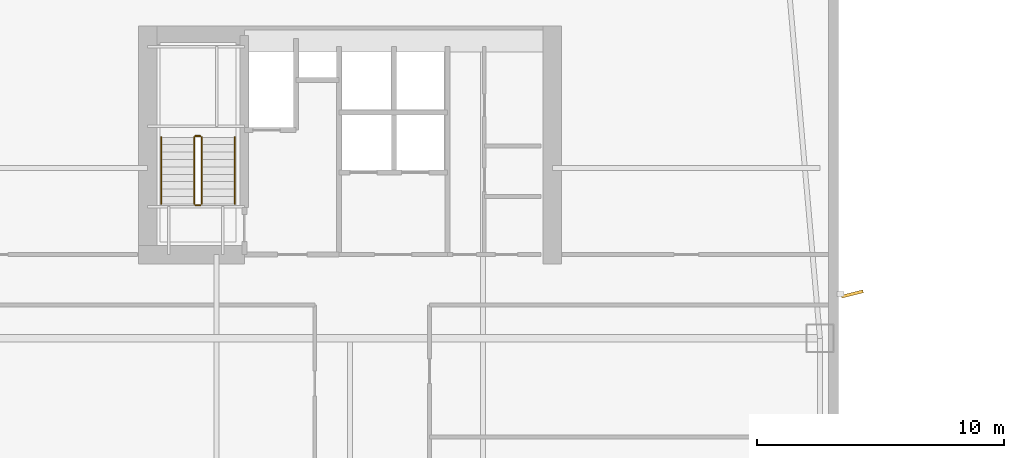
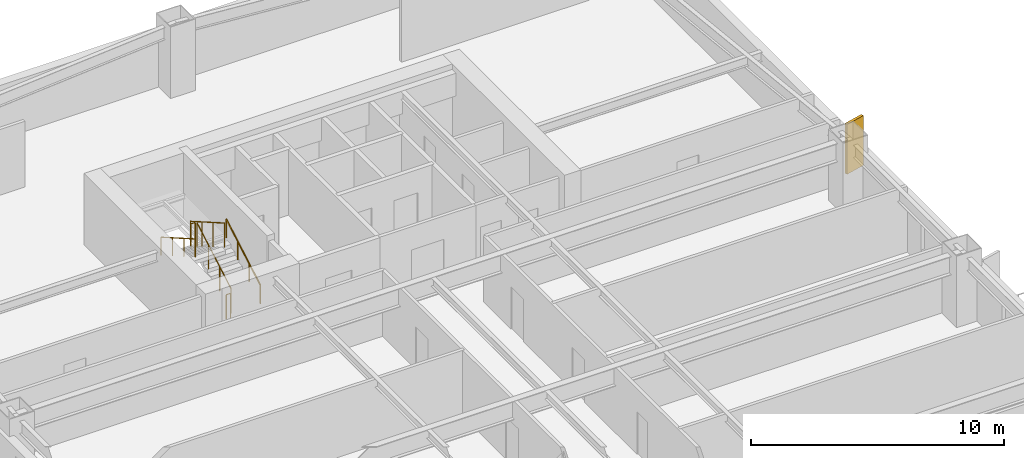
# One storey, part 15 of 18: 6 railings, 1 shading device.
"""IFC4 building model written with IfcOpenShell, lengths in metres."""

from ifc_helpers import new_model, si_unit, direction, frame, origin, origin_2d, place, context, subcontext, project, spatial, rectangle, circle, extrude, material, layer, layer_set, type_object, element, save


model = new_model("IFC4")

# Units and contexts
model_context = context("Model", 3, precision=1e-05, world=origin(), true_north=direction((0.0, 1.0)))
body_context = subcontext(model_context, "Body", "Model", "MODEL_VIEW")
ifc_project = project(units=[si_unit("LENGTHUNIT", "METRE"), si_unit("AREAUNIT", "SQUARE_METRE"), si_unit("VOLUMEUNIT", "CUBIC_METRE"), si_unit("PLANEANGLEUNIT", "RADIAN"), si_unit("MASSUNIT", "GRAM", prefix="KILO")], contexts=[model_context])

# Site, building, storey
site_placement = place(None, origin())
site = spatial("IfcSite", under=ifc_project, at=site_placement, CompositionType="ELEMENT")
building_placement = place(site_placement, origin())
building = spatial("IfcBuilding", under=site, at=building_placement, Name="Qiaolan Cultural Towers", CompositionType="ELEMENT")
storey_placement = place(building_placement, frame((0.0, 0.0, 67.85009765625)))
storey = spatial("IfcBuildingStorey", under=building, at=storey_placement, Name="L16", CompositionType="ELEMENT", Elevation=67.85009765625)

# Railings
ifc_material_1 = material(Name="Galvanized Painted Steel Stair Guardrail", Category="steel")
railing_type_1 = type_object("IfcRailingType", Name="RL-STAIR-GRD", PredefinedType="GUARDRAIL", material=ifc_material_1)
railing_1_placement = place(storey_placement, frame((23.989990234375, 48.449951171875, 0.17236328125)))
element("IfcRailing", 1, at=railing_1_placement, inside=storey, type_object=railing_type_1, Name="L16 ST-W2 stair guard 1", PredefinedType="GUARDRAIL", context=body_context, shape_type="SweptSolid", body=[
    extrude(circle(Radius=0.02392578125, at=origin_2d()), frame((0.0, 0.0, 1.17578125), z_axis=(0.0, 0.866903762492, 0.498475542607), x_axis=(-1.0, 0.0, 0.0)), (0.0, 0.0, 1.0), 3.114501953125),
    extrude(circle(Radius=0.02099609375, at=origin_2d()), origin(), (0.0, 0.0, 1.0), 1.15185546875),
    extrude(circle(Radius=0.02099609375, at=origin_2d()), frame((0.0, 0.89990234375, 0.517578125)), (0.0, 0.0, 1.0), 1.15185546875),
    extrude(circle(Radius=0.02099609375, at=origin_2d()), frame((0.0, 1.800048828125, 1.034912109375)), (0.0, 0.0, 1.0), 1.15185546875),
    extrude(circle(Radius=0.02099609375, at=origin_2d()), frame((0.0, 2.699951171875, 1.552490234375)), (0.0, 0.0, 1.0), 1.15185546875),
])
railing_2_placement = place(storey_placement, frame((23.93994140625, 51.199951171875, 1.724853515625)))
element("IfcRailing", 2, at=railing_2_placement, inside=storey, type_object=railing_type_1, Name="L16 ST-W2 stair guard 2", PredefinedType="GUARDRAIL", context=body_context, shape_type="SweptSolid", body=[
    extrude(circle(Radius=0.02392578125, at=origin_2d()), frame((0.0, 0.0, 1.17578125), z_axis=(-1.0, 0.0, 0.0), x_axis=(0.0, -1.0, 0.0)), (0.0, 0.0, 1.0), 0.199951171875),
    extrude(circle(Radius=0.02099609375, at=origin_2d()), origin(), (0.0, 0.0, 1.0), 1.15185546875),
    extrude(circle(Radius=0.02099609375, at=origin_2d()), frame((-0.199951171875, 0.0, 0.0)), (0.0, 0.0, 1.0), 1.15185546875),
])
railing_3_placement = place(storey_placement, frame((23.68994140625, 51.14990234375, 1.8974609375)))
element("IfcRailing", 3, at=railing_3_placement, inside=storey, type_object=railing_type_1, Name="L16 ST-W2 stair guard 3", PredefinedType="GUARDRAIL", context=body_context, shape_type="SweptSolid", body=[
    extrude(circle(Radius=0.02392578125, at=origin_2d()), frame((0.0, 0.0, 1.17578125), z_axis=(0.0, -0.866903762492, 0.498475542607), x_axis=(1.0, 0.0, 0.0)), (0.0, 0.0, 1.0), 3.114501953125),
    extrude(circle(Radius=0.02099609375, at=origin_2d()), origin(), (0.0, 0.0, 1.0), 1.15185546875),
    extrude(circle(Radius=0.02099609375, at=origin_2d()), frame((0.0, -0.89990234375, 0.517578125)), (0.0, 0.0, 1.0), 1.15185546875),
    extrude(circle(Radius=0.02099609375, at=origin_2d()), frame((0.0, -1.800048828125, 1.034912109375)), (0.0, 0.0, 1.0), 1.15185546875),
    extrude(circle(Radius=0.02099609375, at=origin_2d()), frame((0.0, -2.699951171875, 1.552490234375)), (0.0, 0.0, 1.0), 1.15185546875),
])
railing_4_placement = place(storey_placement, frame((23.93994140625, 48.39990234375, 0.0)))
element("IfcRailing", 4, at=railing_4_placement, inside=storey, type_object=railing_type_1, Name="L16 ST-W2 stair guard 4", PredefinedType="GUARDRAIL", context=body_context, shape_type="SweptSolid", body=[
    extrude(circle(Radius=0.02392578125, at=origin_2d()), frame((0.0, 0.0, 1.17578125), z_axis=(-1.0, 0.0, 0.0), x_axis=(0.0, -1.0, 0.0)), (0.0, 0.0, 1.0), 0.199951171875),
    extrude(circle(Radius=0.02099609375, at=origin_2d()), origin(), (0.0, 0.0, 1.0), 1.15185546875),
    extrude(circle(Radius=0.02099609375, at=origin_2d()), frame((-0.199951171875, 0.0, 0.0)), (0.0, 0.0, 1.0), 1.15185546875),
])
ifc_material_2 = material(Name="Stainless Steel S30408 Tubular Handrail", Category="steel")
railing_type_2 = type_object("IfcRailingType", Name="RL-STAIR-HR", PredefinedType="HANDRAIL", material=ifc_material_2)
railing_5_placement = place(storey_placement, frame((25.330078125, 48.449951171875, 0.17236328125)))
element("IfcRailing", 5, at=railing_5_placement, inside=storey, type_object=railing_type_2, Name="L16 ST-W2 stair handrail 1", PredefinedType="HANDRAIL", context=body_context, shape_type="SweptSolid", body=[
    extrude(circle(Radius=0.02392578125, at=origin_2d()), frame((0.0, 0.0, 0.8759765625), z_axis=(0.0, 0.866903762492, 0.498475542607), x_axis=(-1.0, 0.0, 0.0)), (0.0, 0.0, 1.0), 3.114501953125),
    extrude(circle(Radius=0.02099609375, at=origin_2d()), origin(), (0.0, 0.0, 1.0), 0.851806640625),
    extrude(circle(Radius=0.02099609375, at=origin_2d()), frame((0.0, 0.89990234375, 0.517578125)), (0.0, 0.0, 1.0), 0.851806640625),
    extrude(circle(Radius=0.02099609375, at=origin_2d()), frame((0.0, 1.800048828125, 1.034912109375)), (0.0, 0.0, 1.0), 0.851806640625),
    extrude(circle(Radius=0.02099609375, at=origin_2d()), frame((0.0, 2.699951171875, 1.552490234375)), (0.0, 0.0, 1.0), 0.851806640625),
])
railing_6_placement = place(storey_placement, frame((22.35009765625, 51.14990234375, 1.8974609375)))
element("IfcRailing", 6, at=railing_6_placement, inside=storey, type_object=railing_type_2, Name="L16 ST-W2 stair handrail 2", PredefinedType="HANDRAIL", context=body_context, shape_type="SweptSolid", body=[
    extrude(circle(Radius=0.02392578125, at=origin_2d()), frame((0.0, 0.0, 0.8759765625), z_axis=(0.0, -0.866903762492, 0.498475542607), x_axis=(1.0, 0.0, 0.0)), (0.0, 0.0, 1.0), 3.114501953125),
    extrude(circle(Radius=0.02099609375, at=origin_2d()), origin(), (0.0, 0.0, 1.0), 0.851806640625),
    extrude(circle(Radius=0.02099609375, at=origin_2d()), frame((0.0, -0.89990234375, 0.517578125)), (0.0, 0.0, 1.0), 0.851806640625),
    extrude(circle(Radius=0.02099609375, at=origin_2d()), frame((0.0, -1.800048828125, 1.034912109375)), (0.0, 0.0, 1.0), 0.851806640625),
    extrude(circle(Radius=0.02099609375, at=origin_2d()), frame((0.0, -2.699951171875, 1.552490234375)), (0.0, 0.0, 1.0), 0.851806640625),
])

# Shading device
ifc_material_3 = material(Name="Dark Basalt Honed Precast Terracotta Fin", Category="masonry")
ifc_layer = layer(ifc_material_3, 0.1201171875)
ifc_layer_set = layer_set([ifc_layer], Name="Dark Basalt Honed Precast Terracotta Fin")
shading_device_type = type_object("IfcShadingDeviceType", Name="SHD-FIN-DARK", PredefinedType="USERDEFINED", material=ifc_layer_set)
shading_device_placement = place(storey_placement, frame((50.360107421875, 44.800048828125, 0.10009765625), z_axis=(0.0, 0.0, 1.0), x_axis=(0.969891617581, 0.243536958479, 0.0)))
element("IfcShadingDevice", 7, at=shading_device_placement, inside=storey, type_object=shading_device_type, Name="L16 T1 Expressive Precast Vertical Fin E3", ObjectType="FIN", PredefinedType="USERDEFINED", context=body_context, shape_type="SweptSolid", body=[
    extrude(rectangle(XDim=0.89990234375, YDim=0.1201171875, at=origin_2d()), origin(), (0.0, 0.0, 1.0), 2.409912109375),
])

save(model, "model.ifc")
